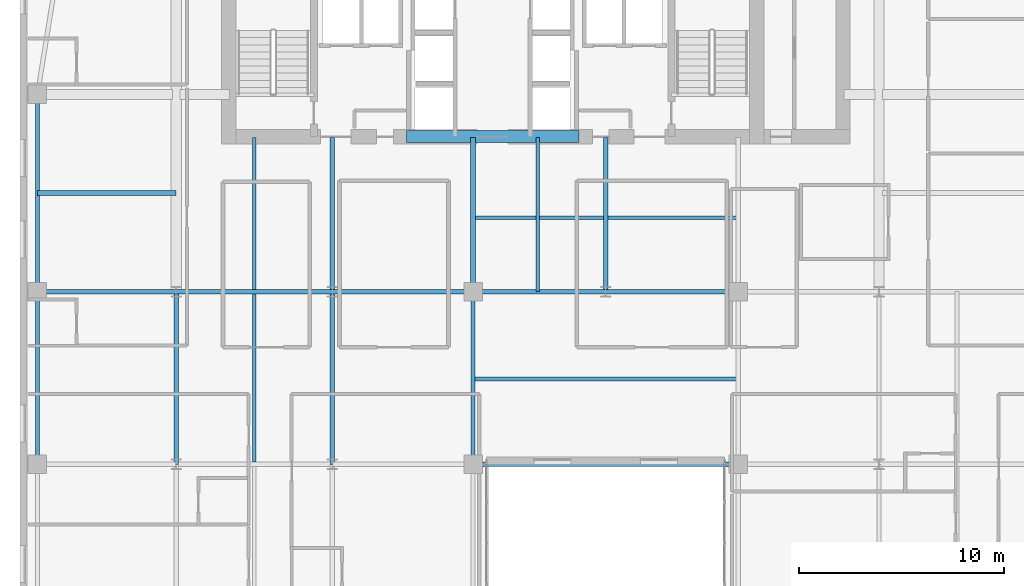
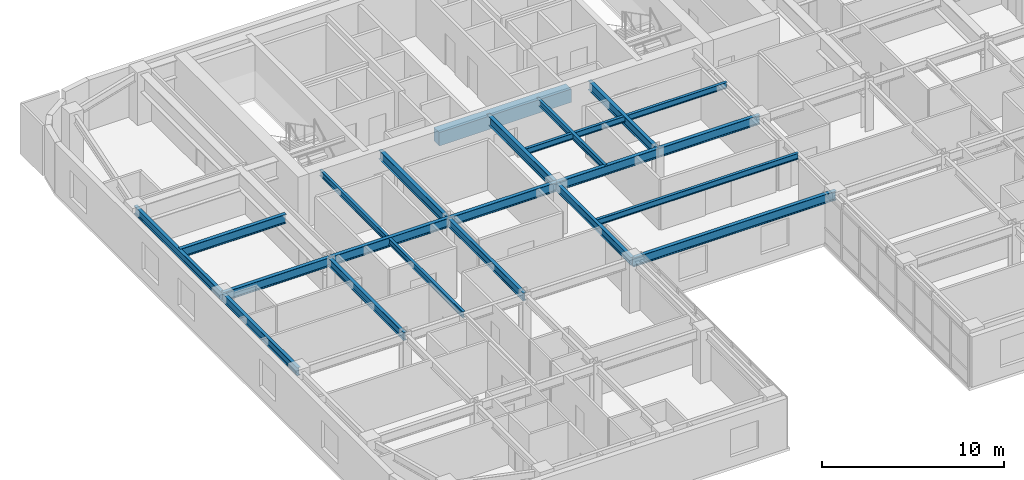
# One storey, part 4 of 16: 21 beams.
"""IFC4 building model written with IfcOpenShell, lengths in metres."""

import ifcopenshell
import ifcopenshell.guid

model = None  # the IFC model being written
_history = None  # IfcOwnerHistory: only IFC2X3 demands one
_inside = {}  # id of a spatial element -> (the spatial element, [elements in it])
_under = {}  # id of a project, library or spatial element -> (it, [spatial elements below it])
_declared = {}  # id of a project -> (the project, [libraries it declares])
_typed = {}  # id of a type object -> (the type object, [elements of that type])
_made_of = {}  # id of a material, layer set ... -> (it, [elements and type objects made of it])


def new_model(schema):
    """Start an empty IFC model of exactly this schema.

    Asked for "IFC4X3", IfcOpenShell would pick the latest addendum, in which some entities
    have other attributes; the version numbers below select the first issue.
    IFC2X3 requires an IfcOwnerHistory on every rooted entity: one is made here for all.
    """
    global model, _history
    if schema == "IFC4X3":
        model = ifcopenshell.file(schema_version=(4, 3, 0, 0))
    else:
        model = ifcopenshell.file(schema=schema)
    _inside.clear()
    _under.clear()
    _declared.clear()
    _typed.clear()
    _made_of.clear()
    _history = None
    if model.schema == "IFC2X3":
        org = make("IfcOrganization", Name="unknown")
        user = make(
            "IfcPersonAndOrganization",
            ThePerson=make("IfcPerson", FamilyName="unknown"),
            TheOrganization=org,
        )
        app = make(
            "IfcApplication",
            ApplicationDeveloper=org,
            Version="unknown",
            ApplicationFullName="unknown",
            ApplicationIdentifier="unknown",
        )
        _history = make(
            "IfcOwnerHistory",
            OwningUser=user,
            OwningApplication=app,
            ChangeAction="ADDED",
            CreationDate=0,
        )
    return model


def make(cls, **values):
    """One entity of the class cls with the attributes given. An attribute that is None is left unset."""
    return model.create_entity(
        cls, **{name: value for name, value in values.items() if value is not None}
    )


def rooted(cls, **values):
    """An entity with a GlobalId (a new one), such as an element, a storey or a relation."""
    return make(cls, GlobalId=ifcopenshell.guid.new(), OwnerHistory=_history, **values)


def si_unit(unit_type, name, prefix=None):
    """IfcSIUnit, for example si_unit("LENGTHUNIT", "METRE", prefix="MILLI")."""
    return make("IfcSIUnit", UnitType=unit_type, Prefix=prefix, Name=name)


def assignment(units):
    """IfcUnitAssignment: the units of a project."""
    return None if units is None else make("IfcUnitAssignment", Units=units)


def point(xyz):
    """IfcCartesianPoint."""
    return None if xyz is None else make("IfcCartesianPoint", Coordinates=xyz)


def direction(xyz):
    """IfcDirection."""
    return None if xyz is None else make("IfcDirection", DirectionRatios=xyz)


def frame(location, z_axis=None, x_axis=None):
    """IfcAxis2Placement3D, a coordinate frame: its origin and axes. An axis left out is left unset."""
    return make(
        "IfcAxis2Placement3D",
        Location=point(location),
        Axis=direction(z_axis),
        RefDirection=direction(x_axis),
    )


def frame_2d(location, x_axis=None):
    """IfcAxis2Placement2D, a coordinate frame in the plane: its origin and x axis."""
    return make(
        "IfcAxis2Placement2D", Location=point(location), RefDirection=direction(x_axis)
    )


def origin():
    """The frame at (0, 0, 0) with its axes left unset."""
    return frame((0.0, 0.0, 0.0))


def origin_2d():
    """The frame at (0, 0) in the plane with its x axis left unset."""
    return frame_2d((0.0, 0.0))


def place(relative_to, where):
    """IfcLocalPlacement: puts the frame where relative to a parent placement (None: the world)."""
    return make(
        "IfcLocalPlacement", PlacementRelTo=relative_to, RelativePlacement=where
    )


def context(
    kind, dimensions, precision=None, world=None, true_north=None, identifier=None
):
    """IfcGeometricRepresentationContext, for example the 3D "Model" context."""
    return make(
        "IfcGeometricRepresentationContext",
        ContextIdentifier=identifier,
        ContextType=kind,
        CoordinateSpaceDimension=dimensions,
        Precision=precision,
        WorldCoordinateSystem=world,
        TrueNorth=true_north,
    )


def subcontext(parent, identifier, kind, view, scale=None):
    """IfcGeometricRepresentationSubContext, for example "Body" below "Model"."""
    return make(
        "IfcGeometricRepresentationSubContext",
        ContextIdentifier=identifier,
        ContextType=kind,
        ParentContext=parent,
        TargetScale=scale,
        TargetView=view,
    )


def project(units=None, contexts=None):
    """IfcProject with its units and contexts."""
    return rooted(
        "IfcProject",
        Name="project",
        RepresentationContexts=contexts,
        UnitsInContext=assignment(units),
    )


def spatial(cls, under=None, at=None, **own):
    """A site, building, storey or space (cls), placed at a placement, below another one or the project."""
    s = rooted(cls, ObjectPlacement=at, **own)
    if under is not None:
        _under.setdefault(under.id(), (under, []))[1].append(s)
    return s


def profile(cls, at=None, kind="AREA", **sizes):
    """A parametric profile (cls). Its sizes go by their IFC names, for example OverallWidth=200.0."""
    return make(cls, ProfileType=kind, Position=at, **sizes)


def rectangle(**sizes):
    """IfcRectangleProfileDef."""
    return profile("IfcRectangleProfileDef", **sizes)


def i_section(**sizes):
    """IfcIShapeProfileDef."""
    return profile("IfcIShapeProfileDef", **sizes)


def extrude(swept, where, along, depth):
    """IfcExtrudedAreaSolid: the profile swept, set in the frame where, extruded along a direction by depth."""
    return make(
        "IfcExtrudedAreaSolid",
        SweptArea=swept,
        Position=where,
        ExtrudedDirection=direction(along),
        Depth=depth,
    )


def shape(context_of_items, identifier, shape_type, items):
    """IfcShapeRepresentation: the items that make up one representation, for example the "Body"."""
    return make(
        "IfcShapeRepresentation",
        ContextOfItems=context_of_items,
        RepresentationIdentifier=identifier,
        RepresentationType=shape_type,
        Items=items,
    )


def source(mapping_origin, context_of_items, identifier, shape_type, items):
    """IfcRepresentationMap: a shape defined once, which mapped items show again and again."""
    return make(
        "IfcRepresentationMap",
        MappingOrigin=mapping_origin,
        MappedRepresentation=shape(context_of_items, identifier, shape_type, items),
    )


def transform(
    local_origin,
    x_axis=None,
    y_axis=None,
    z_axis=None,
    scale=None,
    scale2=None,
    scale3=None,
    uniform=True,
):
    """IfcCartesianTransformationOperator3D, or its non-uniform kind. x_axis, y_axis, z_axis: its Axis1, 2, 3."""
    if uniform:
        return make(
            "IfcCartesianTransformationOperator3D",
            Axis1=direction(x_axis),
            Axis2=direction(y_axis),
            LocalOrigin=point(local_origin),
            Scale=scale,
            Axis3=direction(z_axis),
        )
    return make(
        "IfcCartesianTransformationOperator3DnonUniform",
        Axis1=direction(x_axis),
        Axis2=direction(y_axis),
        LocalOrigin=point(local_origin),
        Scale=scale,
        Axis3=direction(z_axis),
        Scale2=scale2,
        Scale3=scale3,
    )


def mapped(mapping_source, mapping_target):
    """IfcMappedItem: shows the shape of a source again, moved by a transform."""
    return make(
        "IfcMappedItem", MappingSource=mapping_source, MappingTarget=mapping_target
    )


def material(Name=None, Category=None):
    """IfcMaterial."""
    return make("IfcMaterial", Name=Name, Category=Category)


def material_profile(
    of_material, cross_section, Name=None, Category=None, Priority=None
):
    """IfcMaterialProfile: a cross section and its material."""
    return make(
        "IfcMaterialProfile",
        Name=Name,
        Material=of_material,
        Profile=cross_section,
        Priority=Priority,
        Category=Category,
    )


def profile_set(profiles, Name=None, composite=None):
    """IfcMaterialProfileSet."""
    return make(
        "IfcMaterialProfileSet",
        Name=Name,
        MaterialProfiles=profiles,
        CompositeProfile=composite,
    )


def made_of(thing, what):
    """Note that an element or type object is made of a material, layer set ...; save() writes the relation."""
    if what is not None:
        _made_of.setdefault(what.id(), (what, []))[1].append(thing)
    return thing


def type_object(cls, material=None, **own):
    """A type object (cls), such as IfcWallType, which elements share."""
    return made_of(rooted(cls, **own), material)


def type_shapes(of_type, sources):
    """Give a type object the sources (RepresentationMaps) that its elements show as mapped items."""
    of_type.RepresentationMaps = sources


def element(
    cls,
    number,
    at=None,
    inside=None,
    cuts=None,
    type_object=None,
    material=None,
    context=None,
    identifier="Body",
    shape_type=None,
    held_by="IfcProductDefinitionShape",
    body=None,
    shapes=None,
    **own,
):
    """One element of the class cls, such as IfcWall. Its Tag is "e" and its number.

    at: its placement. inside: the storey or other place that contains it. cuts: it is an
    opening in that element (IfcRelVoidsElement). A single representation is given by context,
    identifier, shape_type and body (its items); several are given by shapes. held_by: the class
    of the entity that holds the representations. save() writes the other relations.
    """
    e = rooted(cls, Tag="e%d" % number, ObjectPlacement=at, **own)
    if body is not None:
        shapes = [shape(context, identifier, shape_type, body)]
    if shapes is not None:
        e.Representation = make(held_by, Representations=shapes)
    if inside is not None:
        _inside.setdefault(inside.id(), (inside, []))[1].append(e)
    if cuts is not None:
        rooted(
            "IfcRelVoidsElement", RelatingBuildingElement=cuts, RelatedOpeningElement=e
        )
    if type_object is not None:
        _typed.setdefault(type_object.id(), (type_object, []))[1].append(e)
    return made_of(e, material)


def aggregate(whole, parts):
    """IfcRelAggregates: a whole, such as a stair, and the parts it consists of."""
    return rooted("IfcRelAggregates", RelatingObject=whole, RelatedObjects=parts)


def save(model, path):
    """Write the relations noted so far, then the file.

    IfcRelAggregates (storeys below a building ...), IfcRelContainedInSpatialStructure (elements
    in a storey), IfcRelDefinesByType, IfcRelAssociatesMaterial and IfcRelDeclares: one each for
    every whole, place, type object, material and project.
    """
    for whole, parts in _under.values():
        aggregate(whole, parts)
    for where, things in _inside.values():
        rooted(
            "IfcRelContainedInSpatialStructure",
            RelatedElements=things,
            RelatingStructure=where,
        )
    for kind, things in _typed.values():
        rooted("IfcRelDefinesByType", RelatedObjects=things, RelatingType=kind)
    for what, things in _made_of.values():
        rooted("IfcRelAssociatesMaterial", RelatedObjects=things, RelatingMaterial=what)
    for by, libraries in _declared.values():
        rooted("IfcRelDeclares", RelatingContext=by, RelatedDefinitions=libraries)
    model.write(path)


model = new_model("IFC4")

# Units and contexts
model_context = context("Model", 3, precision=1e-05, world=origin(), true_north=direction((0.0, 1.0)))
body_context = subcontext(model_context, "Body", "Model", "MODEL_VIEW")
ifc_project = project(units=[si_unit("LENGTHUNIT", "METRE"), si_unit("AREAUNIT", "SQUARE_METRE"), si_unit("VOLUMEUNIT", "CUBIC_METRE"), si_unit("PLANEANGLEUNIT", "RADIAN"), si_unit("MASSUNIT", "GRAM", prefix="KILO")], contexts=[model_context])

# Site, building, storey
site_placement = place(None, origin())
site = spatial("IfcSite", under=ifc_project, at=site_placement, CompositionType="ELEMENT")
building_placement = place(site_placement, origin())
building = spatial("IfcBuilding", under=site, at=building_placement, Name="Tolvann Quenvar Hotel", CompositionType="ELEMENT")
storey_placement = place(building_placement, frame((0.0, 0.0, 115.10009765625)))
storey = spatial("IfcBuildingStorey", under=building, at=storey_placement, Name="L29", CompositionType="ELEMENT", Elevation=115.10009765625)

# Beams
ifc_material_1 = material(Name="Concrete N50 (50 MPa)", Category="concrete")
ifc_material_profile_1 = material_profile(ifc_material_1, rectangle(XDim=0.60009765625, YDim=0.89990234375, at=origin_2d()), Name="RC600x900")
ifc_profile_set_1 = profile_set([ifc_material_profile_1], Name="Concrete N50 (50 MPa)")
beam_type_1 = type_object("IfcBeamType", Name="BM_LINT_RC600x900", PredefinedType="LINTEL", material=ifc_profile_set_1)
shared_shape_1 = source(origin(), body_context, "Body", "SweptSolid", [
    extrude(rectangle(XDim=0.60009765625, YDim=0.89990234375, at=origin_2d()), origin(), (0.0, 0.0, 1.0), 8.39990234375),
])
type_shapes(beam_type_1, [shared_shape_1])
beam_1_placement = place(storey_placement, frame((18.800048828125, 31.949951171875, 2.919921875), z_axis=(1.0, 0.0, 0.0), x_axis=(0.0, 1.0, 0.0)))
element("IfcBeam", 1, at=beam_1_placement, inside=storey, type_object=beam_type_1, Name="Core Coupling Lintel Beam (L29)", PredefinedType="LINTEL", context=body_context, shape_type="MappedRepresentation", body=[
    mapped(shared_shape_1, transform((0.0, 0.0, 0.0), x_axis=(1.0, 0.0, 0.0), y_axis=(0.0, 1.0, 0.0), z_axis=(0.0, 0.0, 1.0), scale=1.0)),
])
ifc_material_2 = material(Name="Steel Grade 350", Category="steel")
ifc_material_profile_2 = material_profile(ifc_material_2, i_section(OverallWidth=0.22900390625, OverallDepth=0.612060546875, WebThickness=0.011962890625, FlangeThickness=0.01953125, FilletRadius=0.013916015625, at=origin_2d()), Name="610UB125")
ifc_profile_set_2 = profile_set([ifc_material_profile_2], Name="Steel Grade 350")
beam_type_2 = type_object("IfcBeamType", Name="BM_GIRD_610UB125", PredefinedType="BEAM", material=ifc_profile_set_2)
shared_shape_2 = source(origin(), body_context, "Body", "SweptSolid", [
    extrude(i_section(OverallWidth=0.22900390625, OverallDepth=0.612060546875, WebThickness=0.011962890625, FlangeThickness=0.01953125, FilletRadius=0.013916015625, at=origin_2d()), origin(), (0.0, 0.0, 1.0), 6.75),
])
for number, where, z_axis, x_axis, name in (
    (2, (0.85009765625, 24.39990234375, 3.06396484375), (1.0, 0.0, 0.0), (0.0, 1.0, 0.0), "BM-L29-EW-5-B5-C5"),
    (3, (0.85009765625, 29.199951171875, 3.06396484375), (1.0, 0.0, 0.0), (0.0, 1.0, 0.0), "BM-L29-EW-BC29"),
):
    element("IfcBeam", number, at=place(storey_placement, frame(where, z_axis=z_axis, x_axis=x_axis)), inside=storey, type_object=beam_type_2, Name=name, PredefinedType="BEAM", context=body_context, shape_type="MappedRepresentation", body=[
        mapped(shared_shape_2, transform((0.0, 0.0, 0.0), x_axis=(1.0, 0.0, 0.0), y_axis=(0.0, 1.0, 0.0), z_axis=(0.0, 0.0, 1.0), scale=1.0)),
    ])
shared_shape_3 = source(origin(), body_context, "Body", "SweptSolid", [
    extrude(i_section(OverallWidth=0.22900390625, OverallDepth=0.612060546875, WebThickness=0.011962890625, FlangeThickness=0.01953125, FilletRadius=0.013916015625, at=origin_2d()), origin(), (0.0, 0.0, 1.0), 7.599853515625),
])
beam_2_placement = place(storey_placement, frame((7.60009765625, 24.39990234375, 3.06396484375), z_axis=(1.0, 0.0, 0.0), x_axis=(0.0, 1.0, 0.0)))
element("IfcBeam", 4, at=beam_2_placement, inside=storey, type_object=beam_type_2, Name="BM-L29-EW-5-C5-D5", PredefinedType="BEAM", context=body_context, shape_type="MappedRepresentation", body=[
    mapped(shared_shape_3, transform((0.0, 0.0, 0.0), x_axis=(1.0, 0.0, 0.0), y_axis=(0.0, 1.0, 0.0), z_axis=(0.0, 0.0, 1.0), scale=1.0)),
])
shared_shape_4 = source(origin(), body_context, "Body", "SweptSolid", [
    extrude(i_section(OverallWidth=0.22900390625, OverallDepth=0.612060546875, WebThickness=0.011962890625, FlangeThickness=0.01953125, FilletRadius=0.013916015625, at=origin_2d()), origin(), (0.0, 0.0, 1.0), 6.85009765625),
])
beam_3_placement = place(storey_placement, frame((15.199951171875, 24.39990234375, 3.06396484375), z_axis=(1.0, 0.0, 0.0), x_axis=(0.0, 1.0, 0.0)))
element("IfcBeam", 5, at=beam_3_placement, inside=storey, type_object=beam_type_2, Name="BM-L29-EW-5-D5-E5", PredefinedType="BEAM", context=body_context, shape_type="MappedRepresentation", body=[
    mapped(shared_shape_4, transform((0.0, 0.0, 0.0), x_axis=(1.0, 0.0, 0.0), y_axis=(0.0, 1.0, 0.0), z_axis=(0.0, 0.0, 1.0), scale=1.0)),
])
shared_shape_5 = source(origin(), body_context, "Body", "SweptSolid", [
    extrude(i_section(OverallWidth=0.22900390625, OverallDepth=0.612060546875, WebThickness=0.011962890625, FlangeThickness=0.01953125, FilletRadius=0.013916015625, at=origin_2d()), origin(), (0.0, 0.0, 1.0), 12.89990234375),
])
beam_4_placement = place(storey_placement, frame((22.050048828125, 16.0, 3.06396484375), z_axis=(1.0, 0.0, 0.0), x_axis=(0.0, 1.0, 0.0)))
element("IfcBeam", 6, at=beam_4_placement, inside=storey, type_object=beam_type_2, Name="BM-L29-EW-4-E4-F4", PredefinedType="BEAM", context=body_context, shape_type="MappedRepresentation", body=[
    mapped(shared_shape_5, transform((0.0, 0.0, 0.0), x_axis=(1.0, 0.0, 0.0), y_axis=(0.0, 1.0, 0.0), z_axis=(0.0, 0.0, 1.0), scale=1.0)),
])
shared_shape_6 = source(origin(), body_context, "Body", "SweptSolid", [
    extrude(i_section(OverallWidth=0.22900390625, OverallDepth=0.612060546875, WebThickness=0.011962890625, FlangeThickness=0.01953125, FilletRadius=0.013916015625, at=origin_2d()), origin(), (0.0, 0.0, 1.0), 6.449951171875),
])
for number, where, z_axis, x_axis, name in (
    (7, (22.050048828125, 24.39990234375, 3.06396484375), (1.0, 0.0, 0.0), (0.0, 1.0, 0.0), "BM-L29-EW-5-E5-M5"),
    (8, (28.5, 24.39990234375, 3.06396484375), (1.0, 0.0, 0.0), (0.0, 1.0, 0.0), "BM-L29-EW-5-M5-F5"),
):
    element("IfcBeam", number, at=place(storey_placement, frame(where, z_axis=z_axis, x_axis=x_axis)), inside=storey, type_object=beam_type_2, Name=name, PredefinedType="BEAM", context=body_context, shape_type="MappedRepresentation", body=[
        mapped(shared_shape_6, transform((0.0, 0.0, 0.0), x_axis=(1.0, 0.0, 0.0), y_axis=(0.0, 1.0, 0.0), z_axis=(0.0, 0.0, 1.0), scale=1.0)),
    ])
ifc_material_profile_3 = material_profile(ifc_material_2, i_section(OverallWidth=0.208984375, OverallDepth=0.528076171875, WebThickness=0.009521484375, FlangeThickness=0.01318359375, FilletRadius=0.013916015625, at=origin_2d()), Name="530UB82")
ifc_profile_set_3 = profile_set([ifc_material_profile_3], Name="Steel Grade 350")
beam_type_3 = type_object("IfcBeamType", Name="BM_SPAND_530UB82", PredefinedType="SPANDREL", material=ifc_profile_set_3)
shared_shape_7 = source(origin(), body_context, "Body", "SweptSolid", [
    extrude(i_section(OverallWidth=0.208984375, OverallDepth=0.528076171875, WebThickness=0.009521484375, FlangeThickness=0.01318359375, FilletRadius=0.013916015625, at=origin_2d()), origin(), (0.0, 0.0, 1.0), 8.39990234375),
])
beam_5_placement = place(storey_placement, frame((0.85009765625, 16.0, 3.10595703125), z_axis=(0.0, 1.0, 0.0), x_axis=(-1.0, 0.0, 0.0)))
element("IfcBeam", 9, at=beam_5_placement, inside=storey, type_object=beam_type_3, Name="BM-L29-NS-B4-B5", PredefinedType="SPANDREL", context=body_context, shape_type="MappedRepresentation", body=[
    mapped(shared_shape_7, transform((0.0, 0.0, 0.0), x_axis=(1.0, 0.0, 0.0), y_axis=(0.0, 1.0, 0.0), z_axis=(0.0, 0.0, 1.0), scale=1.0)),
])
ifc_material_profile_4 = material_profile(ifc_material_2, i_section(OverallWidth=0.208984375, OverallDepth=0.532958984375, WebThickness=0.01025390625, FlangeThickness=0.015625, FilletRadius=0.013916015625, at=origin_2d()), Name="530UB92")
ifc_profile_set_4 = profile_set([ifc_material_profile_4], Name="Steel Grade 350")
beam_type_4 = type_object("IfcBeamType", Name="BM_GIRD_530UB92", PredefinedType="BEAM", material=ifc_profile_set_4)
shared_shape_8 = source(origin(), body_context, "Body", "SweptSolid", [
    extrude(i_section(OverallWidth=0.208984375, OverallDepth=0.532958984375, WebThickness=0.01025390625, FlangeThickness=0.015625, FilletRadius=0.013916015625, at=origin_2d()), origin(), (0.0, 0.0, 1.0), 8.39990234375),
])
type_shapes(beam_type_4, [shared_shape_8])
for number, where, z_axis, x_axis, name in (
    (10, (7.60009765625, 16.0, 3.103515625), (0.0, 1.0, 0.0), (-1.0, 0.0, 0.0), "BM-L29-NS-C4-C5"),
    (11, (15.199951171875, 16.0, 3.103515625), (0.0, 1.0, 0.0), (-1.0, 0.0, 0.0), "BM-L29-NS-D4-D5"),
    (12, (22.050048828125, 16.0, 3.103515625), (0.0, 1.0, 0.0), (-1.0, 0.0, 0.0), "BM-L29-NS-E4-E5"),
):
    element("IfcBeam", number, at=place(storey_placement, frame(where, z_axis=z_axis, x_axis=x_axis)), inside=storey, type_object=beam_type_4, Name=name, PredefinedType="BEAM", context=body_context, shape_type="MappedRepresentation", body=[
        mapped(shared_shape_8, transform((0.0, 0.0, 0.0), x_axis=(1.0, 0.0, 0.0), y_axis=(0.0, 1.0, 0.0), z_axis=(0.0, 0.0, 1.0), scale=1.0)),
    ])
shared_shape_9 = source(origin(), body_context, "Body", "SweptSolid", [
    extrude(i_section(OverallWidth=0.22900390625, OverallDepth=0.612060546875, WebThickness=0.011962890625, FlangeThickness=0.01953125, FilletRadius=0.013916015625, at=origin_2d()), origin(), (0.0, 0.0, 1.0), 7.5),
])
type_shapes(beam_type_2, [shared_shape_2, shared_shape_3, shared_shape_4, shared_shape_5, shared_shape_6, shared_shape_9])
for number, where, z_axis, x_axis, name in (
    (13, (15.199951171875, 24.39990234375, 3.06396484375), (0.0, 1.0, 0.0), (-1.0, 0.0, 0.0), "BM-L29-CORE-D5"),
    (14, (22.050048828125, 24.39990234375, 3.06396484375), (0.0, 1.0, 0.0), (-1.0, 0.0, 0.0), "BM-L29-CORE-E5"),
    (15, (28.5, 24.39990234375, 3.06396484375), (0.0, 1.0, 0.0), (-1.0, 0.0, 0.0), "BM-L29-CORE-M5"),
):
    element("IfcBeam", number, at=place(storey_placement, frame(where, z_axis=z_axis, x_axis=x_axis)), inside=storey, type_object=beam_type_2, Name=name, PredefinedType="BEAM", context=body_context, shape_type="MappedRepresentation", body=[
        mapped(shared_shape_9, transform((0.0, 0.0, 0.0), x_axis=(1.0, 0.0, 0.0), y_axis=(0.0, 1.0, 0.0), z_axis=(0.0, 0.0, 1.0), scale=1.0)),
    ])
shared_shape_10 = source(origin(), body_context, "Body", "SweptSolid", [
    extrude(i_section(OverallWidth=0.208984375, OverallDepth=0.528076171875, WebThickness=0.009521484375, FlangeThickness=0.01318359375, FilletRadius=0.013916015625, at=origin_2d()), origin(), (0.0, 0.0, 1.0), 9.60009765625),
])
type_shapes(beam_type_3, [shared_shape_7, shared_shape_10])
beam_6_placement = place(storey_placement, frame((0.85009765625, 24.39990234375, 3.10595703125), z_axis=(0.0, 1.0, 0.0), x_axis=(-1.0, 0.0, 0.0)))
element("IfcBeam", 16, at=beam_6_placement, inside=storey, type_object=beam_type_3, Name="BM-L29-FLK-W1", PredefinedType="SPANDREL", context=body_context, shape_type="MappedRepresentation", body=[
    mapped(shared_shape_10, transform((0.0, 0.0, 0.0), x_axis=(1.0, 0.0, 0.0), y_axis=(0.0, 1.0, 0.0), z_axis=(0.0, 0.0, 1.0), scale=1.0)),
])
ifc_material_profile_5 = material_profile(ifc_material_2, i_section(OverallWidth=0.177978515625, OverallDepth=0.406005859375, WebThickness=0.0078125, FlangeThickness=0.0126953125, FilletRadius=0.011474609375, at=origin_2d()), Name="410UB60")
ifc_profile_set_5 = profile_set([ifc_material_profile_5], Name="Steel Grade 350")
beam_type_5 = type_object("IfcBeamType", Name="BM_JOIST_410UB60", PredefinedType="JOIST", material=ifc_profile_set_5)
shared_shape_11 = source(origin(), body_context, "Body", "SweptSolid", [
    extrude(i_section(OverallWidth=0.177978515625, OverallDepth=0.406005859375, WebThickness=0.0078125, FlangeThickness=0.0126953125, FilletRadius=0.011474609375, at=origin_2d()), origin(), (0.0, 0.0, 1.0), 12.89990234375),
])
for number, where, z_axis, x_axis, name in (
    (17, (22.050048828125, 20.14990234375, 3.1669921875), (1.0, 0.0, 0.0), (0.0, 1.0, 0.0), "BM-L29-SPINE-20"),
    (18, (22.050048828125, 28.0, 3.1669921875), (1.0, 0.0, 0.0), (0.0, 1.0, 0.0), "BM-L29-SPINE-28"),
):
    element("IfcBeam", number, at=place(storey_placement, frame(where, z_axis=z_axis, x_axis=x_axis)), inside=storey, type_object=beam_type_5, Name=name, PredefinedType="JOIST", context=body_context, shape_type="MappedRepresentation", body=[
        mapped(shared_shape_11, transform((0.0, 0.0, 0.0), x_axis=(1.0, 0.0, 0.0), y_axis=(0.0, 1.0, 0.0), z_axis=(0.0, 0.0, 1.0), scale=1.0)),
    ])
shared_shape_12 = source(origin(), body_context, "Body", "SweptSolid", [
    extrude(i_section(OverallWidth=0.177978515625, OverallDepth=0.406005859375, WebThickness=0.0078125, FlangeThickness=0.0126953125, FilletRadius=0.011474609375, at=origin_2d()), origin(), (0.0, 0.0, 1.0), 8.18310546875),
])
beam_7_placement = place(storey_placement, frame((11.39990234375, 16.1083984375, 3.1669921875), z_axis=(0.0, 1.0, 0.0), x_axis=(-1.0, 0.0, 0.0)))
element("IfcBeam", 19, at=beam_7_placement, inside=storey, type_object=beam_type_5, Name="BJ-L29-114-160", PredefinedType="JOIST", context=body_context, shape_type="MappedRepresentation", body=[
    mapped(shared_shape_12, transform((0.0, 0.0, 0.0), x_axis=(1.0, 0.0, 0.0), y_axis=(0.0, 1.0, 0.0), z_axis=(0.0, 0.0, 1.0), scale=1.0)),
])
shared_shape_13 = source(origin(), body_context, "Body", "SweptSolid", [
    extrude(i_section(OverallWidth=0.177978515625, OverallDepth=0.406005859375, WebThickness=0.0078125, FlangeThickness=0.0126953125, FilletRadius=0.011474609375, at=origin_2d()), origin(), (0.0, 0.0, 1.0), 7.391357421875),
])
beam_8_placement = place(storey_placement, frame((11.39990234375, 24.508544921875, 3.1669921875), z_axis=(0.0, 1.0, 0.0), x_axis=(-1.0, 0.0, 0.0)))
element("IfcBeam", 20, at=beam_8_placement, inside=storey, type_object=beam_type_5, Name="BJ-L29-114-244", PredefinedType="JOIST", context=body_context, shape_type="MappedRepresentation", body=[
    mapped(shared_shape_13, transform((0.0, 0.0, 0.0), x_axis=(1.0, 0.0, 0.0), y_axis=(0.0, 1.0, 0.0), z_axis=(0.0, 0.0, 1.0), scale=1.0)),
])
shared_shape_14 = source(origin(), body_context, "Body", "SweptSolid", [
    extrude(i_section(OverallWidth=0.177978515625, OverallDepth=0.406005859375, WebThickness=0.0078125, FlangeThickness=0.0126953125, FilletRadius=0.011474609375, at=origin_2d()), origin(), (0.0, 0.0, 1.0), 7.5),
])
type_shapes(beam_type_5, [shared_shape_11, shared_shape_12, shared_shape_13, shared_shape_14])
beam_9_placement = place(storey_placement, frame((25.199951171875, 24.39990234375, 3.1669921875), z_axis=(0.0, 1.0, 0.0), x_axis=(-1.0, 0.0, 0.0)))
element("IfcBeam", 21, at=beam_9_placement, inside=storey, type_object=beam_type_5, Name="BJ-L29-252-244", PredefinedType="JOIST", context=body_context, shape_type="MappedRepresentation", body=[
    mapped(shared_shape_14, transform((0.0, 0.0, 0.0), x_axis=(1.0, 0.0, 0.0), y_axis=(0.0, 1.0, 0.0), z_axis=(0.0, 0.0, 1.0), scale=1.0)),
])

save(model, "model.ifc")
